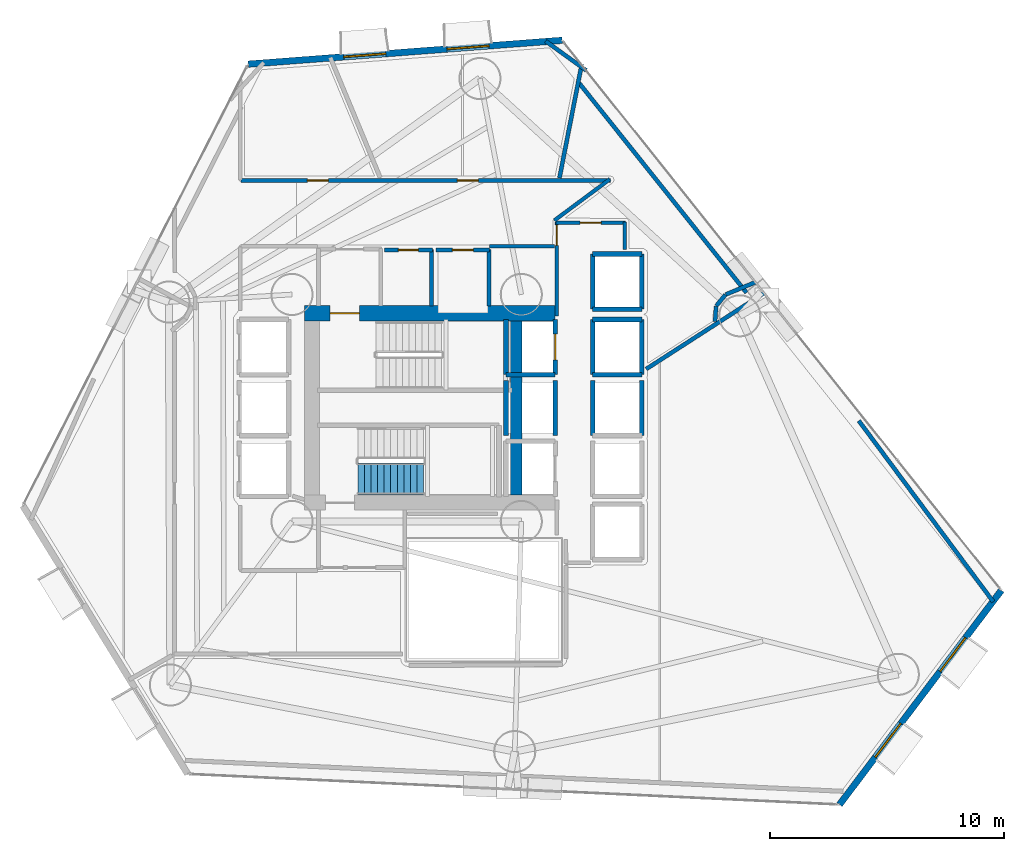
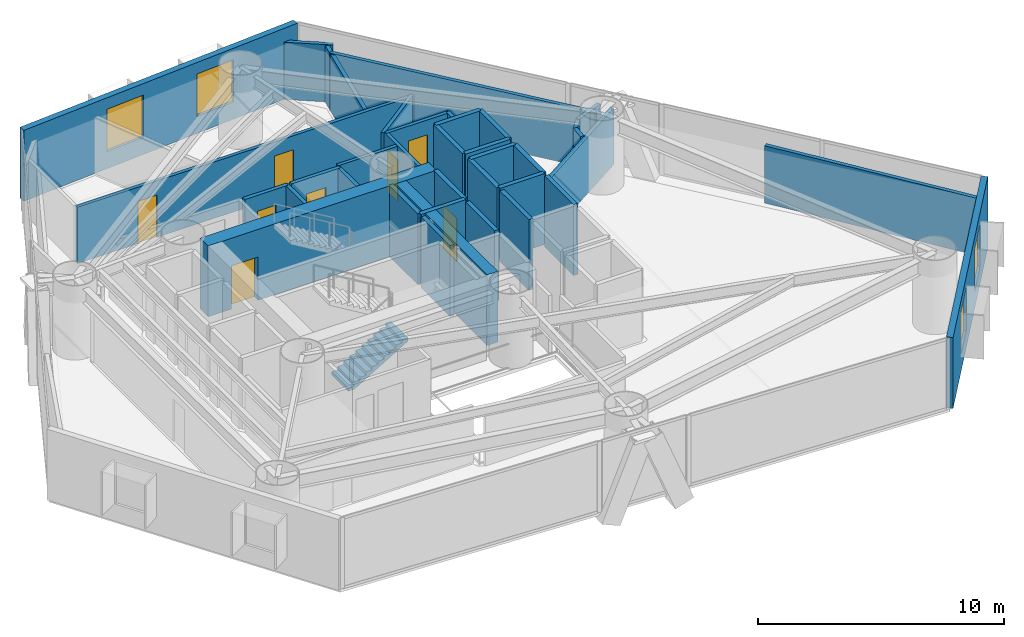
# One storey, part 18 of 23: 37 walls, 8 doors, 4 windows, 1 stair flight, 12 openings, 1 element without a shape of its own.
"""IFC4 building model written with IfcOpenShell, lengths in metres."""

from ifc_helpers import new_model, si_unit, direction, frame, frame_2d, origin, place, context, subcontext, project, spatial, polyline, rectangle, outline, extrude, material, layer, layer_set, type_object, element, fill, aggregate, save


model = new_model("IFC4")

# Units and contexts
model_context = context("Model", 3, precision=1e-05, world=origin(), true_north=direction((0.0, 1.0)))
body_context = subcontext(model_context, "Body", "Model", "MODEL_VIEW")
ifc_project = project(units=[si_unit("LENGTHUNIT", "METRE"), si_unit("AREAUNIT", "SQUARE_METRE"), si_unit("VOLUMEUNIT", "CUBIC_METRE"), si_unit("PLANEANGLEUNIT", "RADIAN"), si_unit("MASSUNIT", "GRAM", prefix="KILO")], contexts=[model_context])

# Site, building, storey
site_placement = place(None, origin())
site = spatial("IfcSite", under=ifc_project, at=site_placement, CompositionType="ELEMENT")
building_placement = place(site_placement, origin())
building = spatial("IfcBuilding", under=site, at=building_placement, Name="Qianvela Tower", CompositionType="ELEMENT")
storey_placement = place(building_placement, frame((0.0, 0.0, 29.39990234375)))
storey = spatial("IfcBuildingStorey", under=building, at=storey_placement, Name="L06", CompositionType="ELEMENT", Elevation=29.39990234375)

# Wall, openings, windows
ifc_material_1 = material(Name="Terracotta Cladding on Concrete C40", Category="masonry")
ifc_layer_1 = layer(ifc_material_1, 0.280029296875)
ifc_layer_set_1 = layer_set([ifc_layer_1], Name="Terracotta Cladding on Concrete C40")
wall_type_1 = type_object("IfcWallType", Name="TERRACOTTA-WALL-280", PredefinedType="SOLIDWALL", material=ifc_layer_set_1)
wall_1_placement = place(storey_placement, frame((51.999267578125, 11.74658203125, 0.0), z_axis=(0.0, 0.0, 1.0), x_axis=(0.602698586695, 0.797968930219, 0.0)))
wall_1 = element("IfcWall", 1, at=wall_1_placement, inside=storey, type_object=wall_type_1, Name="L06 Terracotta Chamfer Facet Wall 1", PredefinedType="SOLIDWALL", context=body_context, shape_type="SweptSolid", body=[
    extrude(rectangle(XDim=11.478759765625, YDim=0.280029296875, at=frame_2d((5.7392578125, 0.0))), origin(), (0.0, 0.0, 1.0), 3.52001953125),
])
opening_1_placement = place(wall_1_placement, frame((2.543701171875, 0.0, 0.85009765625)))
opening_1 = element("IfcOpeningElement", 2, at=opening_1_placement, cuts=wall_1, Name="Opening W-01", PredefinedType="OPENING", context=body_context, shape_type="SweptSolid", body=[
    extrude(rectangle(XDim=1.800048828125, YDim=2.10009765625, at=frame_2d((0.89990234375, 1.050048828125))), frame((0.0, 0.14990234375, 0.0), z_axis=(0.0, -1.0, 0.0), x_axis=(1.0, 0.0, 0.0)), (0.0, 0.0, 1.0), 0.300048828125),
])
opening_2_placement = place(wall_1_placement, frame((7.13525390625, 0.0, 0.85009765625)))
opening_2 = element("IfcOpeningElement", 3, at=opening_2_placement, cuts=wall_1, Name="Opening W-01", PredefinedType="OPENING", context=body_context, shape_type="SweptSolid", body=[
    extrude(rectangle(XDim=1.800048828125, YDim=2.10009765625, at=frame_2d((0.89990234375, 1.050048828125))), frame((0.0, 0.14990234375, 0.0), z_axis=(0.0, -1.0, 0.0), x_axis=(1.0, 0.0, 0.0)), (0.0, 0.0, 1.0), 0.300048828125),
])
ifc_material_2 = material(Name="Thermally Broken Aluminium and Low-E Glass", Category="aluminium")
window_type = type_object("IfcWindowType", Name="WIN-TC-1800x2100", PartitioningType="DOUBLE_PANEL_VERTICAL", PredefinedType="WINDOW", material=ifc_material_2)
window_1_placement = place(opening_1_placement, origin())
window_1 = element("IfcWindow", 4, at=window_1_placement, inside=storey, type_object=window_type, Name="L06 Chamfer Facet Window 1.1", OverallHeight=2.10009765625, OverallWidth=1.800048828125, PartitioningType="SINGLE_PANEL", PredefinedType="WINDOW", context=body_context, shape_type="SweptSolid", body=[
    extrude(rectangle(XDim=1.800048828125, YDim=2.10009765625, at=frame_2d((0.89990234375, 1.050048828125))), frame((0.0, 0.030029296875, 0.0), z_axis=(0.0, -1.0, 0.0), x_axis=(1.0, 0.0, 0.0)), (0.0, 0.0, 1.0), 0.06005859375),
])
fill(opening_1, window_1)
window_2_placement = place(opening_2_placement, origin())
window_2 = element("IfcWindow", 5, at=window_2_placement, inside=storey, type_object=window_type, Name="L06 Chamfer Facet Window 1.2", OverallHeight=2.10009765625, OverallWidth=1.800048828125, PartitioningType="SINGLE_PANEL", PredefinedType="WINDOW", context=body_context, shape_type="SweptSolid", body=[
    extrude(rectangle(XDim=1.800048828125, YDim=2.10009765625, at=frame_2d((0.89990234375, 1.050048828125))), frame((0.0, 0.030029296875, 0.0), z_axis=(0.0, -1.0, 0.0), x_axis=(1.0, 0.0, 0.0)), (0.0, 0.0, 1.0), 0.06005859375),
])
fill(opening_2, window_2)

wall_2_placement = place(storey_placement, frame((40.1474609375, 44.4130859375, 0.0), z_axis=(0.0, 0.0, 1.0), x_axis=(-0.997124396063, -0.07578217981, 0.0)))
wall_2 = element("IfcWall", 6, at=wall_2_placement, inside=storey, type_object=wall_type_1, Name="L06 Terracotta Chamfer Facet Wall 3", PredefinedType="SOLIDWALL", context=body_context, shape_type="SweptSolid", body=[
    extrude(rectangle(XDim=13.45654296875, YDim=0.280029296875, at=frame_2d((6.728271484375, 0.0))), origin(), (0.0, 0.0, 1.0), 3.52001953125),
])
opening_3_placement = place(wall_2_placement, frame((3.136962890625, 0.0, 0.85009765625)))
opening_3 = element("IfcOpeningElement", 7, at=opening_3_placement, cuts=wall_2, Name="Opening W-01", PredefinedType="OPENING", context=body_context, shape_type="SweptSolid", body=[
    extrude(rectangle(XDim=1.800048828125, YDim=2.10009765625, at=frame_2d((0.89990234375, 1.050048828125))), frame((0.0, 0.14990234375, 0.0), z_axis=(0.0, -1.0, 0.0), x_axis=(1.0, 0.0, 0.0)), (0.0, 0.0, 1.0), 0.300048828125),
])
opening_4_placement = place(wall_2_placement, frame((7.559814453125, 0.0, 0.85009765625)))
opening_4 = element("IfcOpeningElement", 8, at=opening_4_placement, cuts=wall_2, Name="Opening W-01", PredefinedType="OPENING", context=body_context, shape_type="SweptSolid", body=[
    extrude(rectangle(XDim=1.800048828125, YDim=2.10009765625, at=frame_2d((0.89990234375, 1.050048828125))), frame((0.0, 0.14990234375, 0.0), z_axis=(0.0, -1.0, 0.0), x_axis=(1.0, 0.0, 0.0)), (0.0, 0.0, 1.0), 0.300048828125),
])
window_3_placement = place(opening_3_placement, origin())
window_3 = element("IfcWindow", 9, at=window_3_placement, inside=storey, type_object=window_type, Name="L06 Chamfer Facet Window 3.1", OverallHeight=2.10009765625, OverallWidth=1.800048828125, PartitioningType="SINGLE_PANEL", PredefinedType="WINDOW", context=body_context, shape_type="SweptSolid", body=[
    extrude(rectangle(XDim=1.800048828125, YDim=2.10009765625, at=frame_2d((0.89990234375, 1.050048828125))), frame((0.0, 0.030029296875, 0.0), z_axis=(0.0, -1.0, 0.0), x_axis=(1.0, 0.0, 0.0)), (0.0, 0.0, 1.0), 0.06005859375),
])
fill(opening_3, window_3)
window_4_placement = place(opening_4_placement, origin())
window_4 = element("IfcWindow", 10, at=window_4_placement, inside=storey, type_object=window_type, Name="L06 Chamfer Facet Window 3.2", OverallHeight=2.10009765625, OverallWidth=1.800048828125, PartitioningType="SINGLE_PANEL", PredefinedType="WINDOW", context=body_context, shape_type="SweptSolid", body=[
    extrude(rectangle(XDim=1.800048828125, YDim=2.10009765625, at=frame_2d((0.89990234375, 1.050048828125))), frame((0.0, 0.030029296875, 0.0), z_axis=(0.0, -1.0, 0.0), x_axis=(1.0, 0.0, 0.0)), (0.0, 0.0, 1.0), 0.06005859375),
])
fill(opening_4, window_4)

# Wall, opening, door
ifc_material_3 = material(Name="Concrete C60", Category="concrete")
ifc_layer_2 = layer(ifc_material_3, 0.64990234375)
ifc_layer_set_2 = layer_set([ifc_layer_2], Name="Concrete C60")
wall_type_2 = type_object("IfcWallType", Name="WT-CORE-650", PredefinedType="SHEAR", material=ifc_layer_set_2)
wall_3_placement = place(storey_placement, frame((29.1298828125, 32.7451171875, 0.0), z_axis=(0.0, 0.0, 1.0), x_axis=(1.0, 0.0, 0.0)))
wall_3 = element("IfcWall", 11, at=wall_3_placement, inside=storey, type_object=wall_type_2, Name="L06 North Core Shear Wall", PredefinedType="SHEAR", context=body_context, shape_type="SweptSolid", body=[
    extrude(rectangle(XDim=10.72021484375, YDim=0.64990234375, at=frame_2d((5.360107421875, 0.0))), origin(), (0.0, 0.0, 1.0), 3.52001953125),
])
opening_5_placement = place(wall_3_placement, frame((1.094970703125, 0.0, 0.0)))
opening_5 = element("IfcOpeningElement", 12, at=opening_5_placement, cuts=wall_3, Name="Opening D-ST1", PredefinedType="OPENING", context=body_context, shape_type="SweptSolid", body=[
    extrude(rectangle(XDim=1.25, YDim=2.14990234375, at=frame_2d((0.625, 1.074951171875))), frame((0.0, 0.3349609375, 0.0), z_axis=(0.0, -1.0, 0.0), x_axis=(1.0, 0.0, 0.0)), (0.0, 0.0, 1.0), 0.669921875),
])
ifc_material_4 = material(Name="Galvanised Fire Steel Q355B", Category="steel")
door_type_1 = type_object("IfcDoorType", Name="DT-STAIR-FD90", OperationType="NOTDEFINED", PredefinedType="DOOR", material=ifc_material_4)
door_1_placement = place(opening_5_placement, origin())
door_1 = element("IfcDoor", 13, at=door_1_placement, inside=storey, type_object=door_type_1, Name="L06 Stair ST-1 Exit Door", OperationType="SINGLE_SWING_RIGHT", OverallHeight=2.14990234375, OverallWidth=1.25, PredefinedType="DOOR", context=body_context, shape_type="SweptSolid", body=[
    extrude(rectangle(XDim=1.25, YDim=2.14990234375, at=frame_2d((0.625, 1.074951171875))), frame((0.0, 0.02490234375, 0.0), z_axis=(0.0, -1.0, 0.0), x_axis=(1.0, 0.0, 0.0)), (0.0, 0.0, 1.0), 0.050048828125),
])
fill(opening_5, door_1)

# Wall
wall_4_placement = place(storey_placement, frame((38.179931640625, 24.97998046875, 0.0), z_axis=(0.0, 0.0, 1.0), x_axis=(0.0, 1.0, 0.0)))
element("IfcWall", 14, at=wall_4_placement, inside=storey, type_object=wall_type_2, Name="L06 East Spine Core Shear Wall", PredefinedType="SHEAR", context=body_context, shape_type="SweptSolid", body=[
    extrude(rectangle(XDim=7.43994140625, YDim=0.5, at=frame_2d((3.719970703125, 0.0))), origin(), (0.0, 0.0, 1.0), 3.52001953125),
])

# Wall, opening, door
ifc_material_5 = material(Name="Fire-Rated Gypsum and Concrete Block", Category="concrete")
ifc_layer_3 = layer(ifc_material_5, 0.159912109375)
ifc_layer_set_3 = layer_set([ifc_layer_3], Name="Fire-Rated Gypsum and Concrete Block")
wall_type_3 = type_object("IfcWallType", Name="WT-CORR-160", PredefinedType="PARTITIONING", material=ifc_layer_set_3)
wall_5_placement = place(storey_placement, frame((39.910888671875, 32.639892578125, 0.0), z_axis=(0.0, 0.0, 1.0), x_axis=(0.0, 1.0, 0.0)))
wall_5 = element("IfcWall", 15, at=wall_5_placement, inside=storey, type_object=wall_type_3, Name="L06 Partition 10", PredefinedType="PARTITIONING", context=body_context, shape_type="SweptSolid", body=[
    extrude(rectangle(XDim=4.010009765625, YDim=0.159912109375, at=frame_2d((2.0048828125, 0.0))), origin(), (0.0, 0.0, 1.0), 2.840087890625),
])
opening_6_placement = place(wall_5_placement, frame((3.010009765625, 0.0, 0.0)))
opening_6 = element("IfcOpeningElement", 16, at=opening_6_placement, cuts=wall_5, Name="Opening D-LB2", PredefinedType="OPENING", context=body_context, shape_type="SweptSolid", body=[
    extrude(rectangle(XDim=0.860107421875, YDim=2.050048828125, at=frame_2d((0.43017578125, 1.02490234375))), frame((0.0, 0.08984375, 0.0), z_axis=(0.0, -1.0, 0.0), x_axis=(1.0, 0.0, 0.0)), (0.0, 0.0, 1.0), 0.179931640625),
])
ifc_material_6 = material(Name="Insulated Steel Fire Door Q355B", Category="steel")
door_type_2 = type_object("IfcDoorType", Name="DT-LOBBY-FD90-860", OperationType="NOTDEFINED", PredefinedType="DOOR", material=ifc_material_6)
door_2_placement = place(opening_6_placement, origin())
door_2 = element("IfcDoor", 17, at=door_2_placement, inside=storey, type_object=door_type_2, Name="L06 Door L06 Lift Lobby to L06 Floor Corridor", OperationType="SINGLE_SWING_RIGHT", OverallHeight=2.050048828125, OverallWidth=0.860107421875, PredefinedType="DOOR", context=body_context, shape_type="SweptSolid", body=[
    extrude(rectangle(XDim=0.860107421875, YDim=2.050048828125, at=frame_2d((0.43017578125, 1.02490234375))), frame((0.0, 0.02490234375, 0.0), z_axis=(0.0, -1.0, 0.0), x_axis=(1.0, 0.0, 0.0)), (0.0, 0.0, 1.0), 0.050048828125),
])
fill(opening_6, door_2)

wall_6_placement = place(storey_placement, frame((39.8798828125, 36.618896484375, 0.0), z_axis=(0.0, 0.0, 1.0), x_axis=(1.0, 0.0, 0.0)))
wall_6 = element("IfcWall", 18, at=wall_6_placement, inside=storey, type_object=wall_type_3, Name="L06 Partition 11", PredefinedType="PARTITIONING", context=body_context, shape_type="SweptSolid", body=[
    extrude(rectangle(XDim=2.97021484375, YDim=0.159912109375, at=frame_2d((1.485107421875, 0.0))), origin(), (0.0, 0.0, 1.0), 2.840087890625),
])
opening_7_placement = place(wall_6_placement, frame((1.034912109375, 0.0, 0.0)))
opening_7 = element("IfcOpeningElement", 19, at=opening_7_placement, cuts=wall_6, Name="Opening D-KT1", PredefinedType="OPENING", context=body_context, shape_type="SweptSolid", body=[
    extrude(rectangle(XDim=0.89990234375, YDim=2.10009765625, at=frame_2d((0.449951171875, 1.050048828125))), frame((0.0, 0.08984375, 0.0), z_axis=(0.0, -1.0, 0.0), x_axis=(1.0, 0.0, 0.0)), (0.0, 0.0, 1.0), 0.179931640625),
])
ifc_material_7 = material(Name="Glazed Timber Kitchen Door", Category="wood")
door_type_3 = type_object("IfcDoorType", Name="DT-KITCH-900", OperationType="NOTDEFINED", PredefinedType="DOOR", material=ifc_material_7)
door_3_placement = place(opening_7_placement, origin())
door_3 = element("IfcDoor", 20, at=door_3_placement, inside=storey, type_object=door_type_3, Name="L06 Door Floor Dining Kitchen L06-03 to L06 Lift Lobby", OperationType="SINGLE_SWING_RIGHT", OverallHeight=2.10009765625, OverallWidth=0.89990234375, PredefinedType="DOOR", context=body_context, shape_type="SweptSolid", body=[
    extrude(rectangle(XDim=0.89990234375, YDim=2.10009765625, at=frame_2d((0.449951171875, 1.050048828125))), frame((0.0, 0.02490234375, 0.0), z_axis=(0.0, -1.0, 0.0), x_axis=(1.0, 0.0, 0.0)), (0.0, 0.0, 1.0), 0.050048828125),
])
fill(opening_7, door_3)

# Wall
wall_7_placement = place(storey_placement, frame((42.819091796875, 36.64990234375, 0.0), z_axis=(0.0, 0.0, 1.0), x_axis=(0.0, -1.0, 0.0)))
element("IfcWall", 21, at=wall_7_placement, inside=storey, type_object=wall_type_3, Name="L06 Partition 12", PredefinedType="PARTITIONING", context=body_context, shape_type="SweptSolid", body=[
    extrude(rectangle(XDim=1.169921875, YDim=0.159912109375, at=frame_2d((0.5849609375, 0.0))), origin(), (0.0, 0.0, 1.0), 2.840087890625),
])

# Wall, openings, doors
wall_8_placement = place(storey_placement, frame((26.419921875, 38.4189453125, 0.0), z_axis=(0.0, 0.0, 1.0), x_axis=(1.0, 0.0, 0.0)))
wall_8 = element("IfcWall", 22, at=wall_8_placement, inside=storey, type_object=wall_type_3, Name="L06 Partition 43", PredefinedType="PARTITIONING", context=body_context, shape_type="SweptSolid", body=[
    extrude(rectangle(XDim=15.783203125, YDim=0.159912109375, at=frame_2d((7.8916015625, 0.0))), origin(), (0.0, 0.0, 1.0), 2.798095703125),
])
opening_8_placement = place(wall_8_placement, frame((9.246337890625, 0.0, 0.0)))
opening_8 = element("IfcOpeningElement", 23, at=opening_8_placement, cuts=wall_8, Name="Opening D-KT1", PredefinedType="OPENING", context=body_context, shape_type="SweptSolid", body=[
    extrude(rectangle(XDim=0.89990234375, YDim=2.10009765625, at=frame_2d((0.449951171875, 1.050048828125))), frame((0.0, 0.08984375, 0.0), z_axis=(0.0, -1.0, 0.0), x_axis=(1.0, 0.0, 0.0)), (0.0, 0.0, 1.0), 0.179931640625),
])
opening_9_placement = place(wall_8_placement, frame((2.835693359375, 0.0, 0.0)))
opening_9 = element("IfcOpeningElement", 24, at=opening_9_placement, cuts=wall_8, Name="Opening D-KT1", PredefinedType="OPENING", context=body_context, shape_type="SweptSolid", body=[
    extrude(rectangle(XDim=0.89990234375, YDim=2.10009765625, at=frame_2d((0.449951171875, 1.050048828125))), frame((0.0, 0.08984375, 0.0), z_axis=(0.0, -1.0, 0.0), x_axis=(1.0, 0.0, 0.0)), (0.0, 0.0, 1.0), 0.179931640625),
])
door_4_placement = place(opening_8_placement, origin())
door_4 = element("IfcDoor", 25, at=door_4_placement, inside=storey, type_object=door_type_3, Name="L06 Door Social Galley Kitchen L06-04 to L06 Floor Corridor", OperationType="SINGLE_SWING_LEFT", OverallHeight=2.10009765625, OverallWidth=0.89990234375, PredefinedType="DOOR", context=body_context, shape_type="SweptSolid", body=[
    extrude(rectangle(XDim=0.89990234375, YDim=2.10009765625, at=frame_2d((0.449951171875, 1.050048828125))), frame((0.0, 0.02490234375, 0.0), z_axis=(0.0, -1.0, 0.0), x_axis=(1.0, 0.0, 0.0)), (0.0, 0.0, 1.0), 0.050048828125),
])
fill(opening_8, door_4)
door_5_placement = place(opening_9_placement, origin())
door_5 = element("IfcDoor", 26, at=door_5_placement, inside=storey, type_object=door_type_3, Name="L06 Door Shared Communal Kitchen L06-05 to L06 Floor Corridor", OperationType="SINGLE_SWING_RIGHT", OverallHeight=2.10009765625, OverallWidth=0.89990234375, PredefinedType="DOOR", context=body_context, shape_type="SweptSolid", body=[
    extrude(rectangle(XDim=0.89990234375, YDim=2.10009765625, at=frame_2d((0.449951171875, 1.050048828125))), frame((0.0, 0.02490234375, 0.0), z_axis=(0.0, -1.0, 0.0), x_axis=(1.0, 0.0, 0.0)), (0.0, 0.0, 1.0), 0.050048828125),
])
fill(opening_9, door_5)

# Walls
wall_9_placement = place(storey_placement, frame((42.1845703125, 38.474853515625, 0.0), z_axis=(0.0, 0.0, 1.0), x_axis=(-0.802818467394, -0.596223538961, 0.0)))
element("IfcWall", 27, at=wall_9_placement, inside=storey, type_object=wall_type_3, Name="L06 Partition 44", PredefinedType="PARTITIONING", context=body_context, shape_type="SweptSolid", body=[
    extrude(rectangle(XDim=2.953125, YDim=0.159912109375, at=frame_2d((1.4765625, 0.0))), origin(), (0.0, 0.0, 1.0), 2.798095703125),
])
wall_10_placement = place(storey_placement, frame((39.818115234375, 35.611083984375, 0.0), z_axis=(0.0, 0.0, 1.0), x_axis=(-1.0, 0.0, 0.0)))
element("IfcWall", 28, at=wall_10_placement, inside=storey, type_object=wall_type_3, Name="L06 Partition 46 seg 1", PredefinedType="PARTITIONING", context=body_context, shape_type="SweptSolid", body=[
    extrude(rectangle(XDim=2.76806640625, YDim=0.159912109375, at=frame_2d((1.384033203125, 0.0))), origin(), (0.0, 0.0, 1.0), 2.840087890625),
])

# Wall, opening, door
ifc_material_8 = material(Name="Moisture-Resistant Acoustic Plumbing Wall")
ifc_layer_4 = layer(ifc_material_8, 0.175048828125)
ifc_layer_set_4 = layer_set([ifc_layer_4], Name="Moisture-Resistant Acoustic Plumbing Wall")
wall_type_4 = type_object("IfcWallType", Name="WT-PLUMB-175", PredefinedType="PLUMBINGWALL", material=ifc_layer_set_4)
wall_11_placement = place(storey_placement, frame((32.550048828125, 35.448974609375, 0.0), z_axis=(0.0, 0.0, 1.0), x_axis=(1.0, 0.0, 0.0)))
wall_11 = element("IfcWall", 29, at=wall_11_placement, inside=storey, type_object=wall_type_4, Name="L06 Partition 20", PredefinedType="PLUMBINGWALL", context=body_context, shape_type="SweptSolid", body=[
    extrude(rectangle(XDim=2.050048828125, YDim=0.175048828125, at=frame_2d((1.02490234375, 0.0))), origin(), (0.0, 0.0, 1.0), 2.840087890625),
])
opening_10_placement = place(wall_11_placement, frame((0.594970703125, 0.0, 0.0)))
opening_10 = element("IfcOpeningElement", 30, at=opening_10_placement, cuts=wall_11, Name="Opening D-WC1", PredefinedType="OPENING", context=body_context, shape_type="SweptSolid", body=[
    extrude(rectangle(XDim=0.860107421875, YDim=2.050048828125, at=frame_2d((0.43017578125, 1.02490234375))), frame((0.0, 0.097412109375, 0.0), z_axis=(0.0, -1.0, 0.0), x_axis=(1.0, 0.0, 0.0)), (0.0, 0.0, 1.0), 0.195068359375),
])
ifc_material_9 = material(Name="Moisture-Sealed Acoustic Timber Door", Category="wood")
door_type_4 = type_object("IfcDoorType", Name="DT-WC-860", OperationType="NOTDEFINED", PredefinedType="DOOR", material=ifc_material_9)
door_6_placement = place(opening_10_placement, origin())
door_6 = element("IfcDoor", 31, at=door_6_placement, inside=storey, type_object=door_type_4, Name="L06 Door L06 Accessible WC to L06 Floor Corridor", OperationType="SINGLE_SWING_LEFT", OverallHeight=2.050048828125, OverallWidth=0.860107421875, PredefinedType="DOOR", context=body_context, shape_type="SweptSolid", body=[
    extrude(rectangle(XDim=0.860107421875, YDim=2.050048828125, at=frame_2d((0.43017578125, 1.02490234375))), frame((0.0, 0.02490234375, 0.0), z_axis=(0.0, -1.0, 0.0), x_axis=(1.0, 0.0, 0.0)), (0.0, 0.0, 1.0), 0.050048828125),
])
fill(opening_10, door_6)

# Wall
wall_12_placement = place(storey_placement, frame((34.569091796875, 35.47998046875, 0.0), z_axis=(0.0, 0.0, 1.0), x_axis=(0.0, -1.0, 0.0)))
element("IfcWall", 32, at=wall_12_placement, inside=storey, type_object=wall_type_4, Name="L06 Partition 21", PredefinedType="PLUMBINGWALL", context=body_context, shape_type="SweptSolid", body=[
    extrude(rectangle(XDim=2.421875, YDim=0.175048828125, at=frame_2d((1.2109375, 0.0))), origin(), (0.0, 0.0, 1.0), 2.840087890625),
])

# Wall, opening, door
wall_13_placement = place(storey_placement, frame((34.75, 35.448974609375, 0.0), z_axis=(0.0, 0.0, 1.0), x_axis=(1.0, 0.0, 0.0)))
wall_13 = element("IfcWall", 33, at=wall_13_placement, inside=storey, type_object=wall_type_4, Name="L06 Partition 24", PredefinedType="PLUMBINGWALL", context=body_context, shape_type="SweptSolid", body=[
    extrude(rectangle(XDim=2.300048828125, YDim=0.175048828125, at=frame_2d((1.14990234375, 0.0))), origin(), (0.0, 0.0, 1.0), 2.840087890625),
])
opening_11_placement = place(wall_13_placement, frame((0.699951171875, 0.0, 0.0)))
opening_11 = element("IfcOpeningElement", 34, at=opening_11_placement, cuts=wall_13, Name="Opening D-KT1", PredefinedType="OPENING", context=body_context, shape_type="SweptSolid", body=[
    extrude(rectangle(XDim=0.89990234375, YDim=2.10009765625, at=frame_2d((0.449951171875, 1.050048828125))), frame((0.0, 0.097412109375, 0.0), z_axis=(0.0, -1.0, 0.0), x_axis=(1.0, 0.0, 0.0)), (0.0, 0.0, 1.0), 0.195068359375),
])
door_7_placement = place(opening_11_placement, origin())
door_7 = element("IfcDoor", 35, at=door_7_placement, inside=storey, type_object=door_type_3, Name="L06 Door L06 Core Tea Pantry to L06 Floor Corridor", OperationType="SINGLE_SWING_RIGHT", OverallHeight=2.10009765625, OverallWidth=0.89990234375, PredefinedType="DOOR", context=body_context, shape_type="SweptSolid", body=[
    extrude(rectangle(XDim=0.89990234375, YDim=2.10009765625, at=frame_2d((0.449951171875, 1.050048828125))), frame((0.0, 0.02490234375, 0.0), z_axis=(0.0, -1.0, 0.0), x_axis=(1.0, 0.0, 0.0)), (0.0, 0.0, 1.0), 0.050048828125),
])
fill(opening_11, door_7)

# Walls
wall_14_placement = place(storey_placement, frame((37.01904296875, 35.47998046875, 0.0), z_axis=(0.0, 0.0, 1.0), x_axis=(0.0, -1.0, 0.0)))
element("IfcWall", 36, at=wall_14_placement, inside=storey, type_object=wall_type_4, Name="L06 Partition 25", PredefinedType="PLUMBINGWALL", context=body_context, shape_type="SweptSolid", body=[
    extrude(rectangle(XDim=2.421875, YDim=0.175048828125, at=frame_2d((1.2109375, 0.0))), origin(), (0.0, 0.0, 1.0), 2.840087890625),
])
wall_15_placement = place(storey_placement, frame((43.73681640625, 30.3623046875, 0.0), z_axis=(0.0, 0.0, 1.0), x_axis=(0.840502421902, 0.541807787667, 0.0)))
element("IfcWall", 37, at=wall_15_placement, inside=storey, type_object=wall_type_4, Name="L06 Partition 70", PredefinedType="PLUMBINGWALL", context=body_context, shape_type="SweptSolid", body=[
    extrude(rectangle(XDim=6.013427734375, YDim=0.175048828125, at=frame_2d((3.0068359375, 0.0))), origin(), (0.0, 0.0, 1.0), 2.798095703125),
])
wall_16_placement = place(storey_placement, frame((52.824462890625, 28.152099609375, 0.0), z_axis=(0.0, 0.0, 1.0), x_axis=(0.596353852241, -0.802721672137, 0.0)))
element("IfcWall", 38, at=wall_16_placement, inside=storey, type_object=wall_type_4, Name="L06 Partition 71 seg 2", PredefinedType="PLUMBINGWALL", context=body_context, shape_type="SweptSolid", body=[
    extrude(rectangle(XDim=9.636962890625, YDim=0.175048828125, at=frame_2d((4.818359375, 0.0))), origin(), (0.0, 0.0, 1.0), 2.840087890625),
])
wall_17_placement = place(storey_placement, frame((40.030517578125, 38.52392578125, 0.0), z_axis=(0.0, 0.0, 1.0), x_axis=(0.192440494931, 0.981308644571, 0.0)))
element("IfcWall", 39, at=wall_17_placement, inside=storey, type_object=wall_type_4, Name="L06 Partition 83", PredefinedType="PLUMBINGWALL", context=body_context, shape_type="SweptSolid", body=[
    extrude(rectangle(XDim=4.9580078125, YDim=0.175048828125, at=frame_2d((2.47900390625, 0.0))), origin(), (0.0, 0.0, 1.0), 2.798095703125),
])
wall_18_placement = place(storey_placement, frame((40.793701171875, 42.6806640625, 0.0), z_axis=(0.0, 0.0, 1.0), x_axis=(0.623977950445, -0.781441947529, 0.0)))
element("IfcWall", 40, at=wall_18_placement, inside=storey, type_object=wall_type_4, Name="L06 Partition 84", PredefinedType="PLUMBINGWALL", context=body_context, shape_type="SweptSolid", body=[
    extrude(rectangle(XDim=11.588134765625, YDim=0.175048828125, at=frame_2d((5.7939453125, 0.0))), origin(), (0.0, 0.0, 1.0), 2.840087890625),
])
wall_19_placement = place(storey_placement, frame((48.422607421875, 34.080322265625, 0.0), z_axis=(0.0, 0.0, 1.0), x_axis=(-0.923888707417, -0.382661281433, 0.0)))
element("IfcWall", 41, at=wall_19_placement, inside=storey, type_object=wall_type_4, Name="L06 Partition 86", PredefinedType="PLUMBINGWALL", context=body_context, shape_type="SweptSolid", body=[
    extrude(rectangle(XDim=1.393310546875, YDim=0.175048828125, at=frame_2d((0.69677734375, 0.0))), origin(), (0.0, 0.0, 1.0), 2.840087890625),
])
wall_20_placement = place(storey_placement, frame((47.123046875, 33.5380859375, 0.0), z_axis=(0.0, 0.0, 1.0), x_axis=(-0.634274060347, -0.773108282436, 0.0)))
element("IfcWall", 42, at=wall_20_placement, inside=storey, type_object=wall_type_4, Name="L06 Partition 87", PredefinedType="PLUMBINGWALL", context=body_context, shape_type="SweptSolid", body=[
    extrude(rectangle(XDim=0.615478515625, YDim=0.175048828125, at=frame_2d((0.3076171875, 0.0))), origin(), (0.0, 0.0, 1.0), 2.798095703125),
])
wall_21_placement = place(storey_placement, frame((46.725830078125, 33.044921875, 0.0), z_axis=(0.0, 0.0, 1.0), x_axis=(-0.072993708231, -0.997332401238, 0.0)))
element("IfcWall", 43, at=wall_21_placement, inside=storey, type_object=wall_type_4, Name="L06 Partition 88", PredefinedType="PLUMBINGWALL", context=body_context, shape_type="SweptSolid", body=[
    extrude(rectangle(XDim=0.655517578125, YDim=0.175048828125, at=frame_2d((0.32763671875, 0.0))), origin(), (0.0, 0.0, 1.0), 2.840087890625),
])
wall_22_placement = place(storey_placement, frame((39.440185546875, 44.3759765625, 0.0), z_axis=(0.0, 0.0, 1.0), x_axis=(0.81138921051, -0.584506243822, 0.0)))
element("IfcWall", 44, at=wall_22_placement, inside=storey, type_object=wall_type_4, Name="L06 Partition 92", PredefinedType="PLUMBINGWALL", context=body_context, shape_type="SweptSolid", body=[
    extrude(rectangle(XDim=2.13818359375, YDim=0.175048828125, at=frame_2d((1.069091796875, 0.0))), origin(), (0.0, 0.0, 1.0), 2.840087890625),
])

# Wall, opening, door
ifc_material_10 = material(Name="Concrete C50", Category="concrete")
ifc_layer_5 = layer(ifc_material_10, 0.199951171875)
ifc_layer_set_5 = layer_set([ifc_layer_5], Name="Concrete C50")
wall_type_5 = type_object("IfcWallType", Name="WT-SHAFT-200", PredefinedType="SOLIDWALL", material=ifc_layer_set_5)
wall_23_placement = place(storey_placement, frame((39.85009765625, 30.1201171875, 0.0), z_axis=(0.0, 0.0, 1.0), x_axis=(0.0, 1.0, 0.0)))
wall_23 = element("IfcWall", 45, at=wall_23_placement, inside=storey, type_object=wall_type_5, Name="L06 Lift FL-1 E Shaft Wall", PredefinedType="SOLIDWALL", context=body_context, shape_type="SweptSolid", body=[
    extrude(rectangle(XDim=2.35986328125, YDim=0.199951171875, at=frame_2d((1.179931640625, 0.0))), origin(), (0.0, 0.0, 1.0), 3.52001953125),
])
opening_12_placement = place(wall_23_placement, frame((0.6298828125, 0.0, 0.0)))
opening_12 = element("IfcOpeningElement", 46, at=opening_12_placement, cuts=wall_23, Name="Opening LD-01", PredefinedType="OPENING", context=body_context, shape_type="SweptSolid", body=[
    extrude(rectangle(XDim=1.10009765625, YDim=2.14990234375, at=frame_2d((0.550048828125, 1.074951171875))), frame((0.0, 0.10986328125, 0.0), z_axis=(0.0, -1.0, 0.0), x_axis=(1.0, 0.0, 0.0)), (0.0, 0.0, 1.0), 0.219970703125),
])
ifc_material_11 = material(Name="Brushed Stainless Steel Lift Landing Door", Category="steel")
door_type_5 = type_object("IfcDoorType", Name="DT-LIFT-SLIDE-1100", OperationType="SLIDING_TO_LEFT", PredefinedType="DOOR", material=ifc_material_11)
door_8_placement = place(opening_12_placement, origin())
door_8 = element("IfcDoor", 47, at=door_8_placement, inside=storey, type_object=door_type_5, Name="L06 Lift FL-1 Sliding Landing Door", OperationType="SLIDING_TO_LEFT", OverallHeight=2.14990234375, OverallWidth=1.10009765625, PredefinedType="DOOR", context=body_context, shape_type="SweptSolid", body=[
    extrude(rectangle(XDim=1.10009765625, YDim=2.14990234375, at=frame_2d((0.550048828125, 1.074951171875))), frame((0.0, 0.02490234375, 0.0), z_axis=(0.0, -1.0, 0.0), x_axis=(1.0, 0.0, 0.0)), (0.0, 0.0, 1.0), 0.050048828125),
])
fill(opening_12, door_8)

# Walls
wall_24_placement = place(storey_placement, frame((37.75, 30.1201171875, 0.0), z_axis=(0.0, 0.0, 1.0), x_axis=(0.0, 1.0, 0.0)))
element("IfcWall", 48, at=wall_24_placement, inside=storey, type_object=wall_type_5, Name="L06 Lift FL-1 W Shaft Wall", PredefinedType="SOLIDWALL", context=body_context, shape_type="SweptSolid", body=[
    extrude(rectangle(XDim=2.35986328125, YDim=0.199951171875, at=frame_2d((1.179931640625, 0.0))), origin(), (0.0, 0.0, 1.0), 3.52001953125),
])
wall_25_placement = place(storey_placement, frame((37.75, 30.1201171875, 0.0), z_axis=(0.0, 0.0, 1.0), x_axis=(1.0, 0.0, 0.0)))
element("IfcWall", 49, at=wall_25_placement, inside=storey, type_object=wall_type_5, Name="L06 Lift FL-1 S Shaft Wall", PredefinedType="SOLIDWALL", context=body_context, shape_type="SweptSolid", body=[
    extrude(rectangle(XDim=2.10009765625, YDim=0.199951171875, at=frame_2d((1.050048828125, 0.0))), origin(), (0.0, 0.0, 1.0), 3.52001953125),
])
for number, where, z_axis, x_axis, name in (
    (50, (43.550048828125, 30.1201171875, 0.0), (0.0, 0.0, 1.0), (0.0, 1.0, 0.0), "L06 Lift PL-M1 E Shaft Wall"),
    (51, (41.449951171875, 30.1201171875, 0.0), (0.0, 0.0, 1.0), (0.0, 1.0, 0.0), "L06 Lift PL-M1 W Shaft Wall"),
):
    element("IfcWall", number, at=place(storey_placement, frame(where, z_axis=z_axis, x_axis=x_axis)), inside=storey, type_object=wall_type_5, Name=name, PredefinedType="SOLIDWALL", context=body_context, shape_type="SweptSolid", body=[
        extrude(rectangle(XDim=2.35986328125, YDim=0.199951171875, at=frame_2d((1.179931640625, 0.0))), origin(), (0.0, 0.0, 1.0), 3.52001953125),
    ])
for number, where, z_axis, x_axis, name in (
    (52, (41.449951171875, 32.47998046875, 0.0), (0.0, 0.0, 1.0), (1.0, 0.0, 0.0), "L06 Lift PL-M1 N Shaft Wall"),
    (53, (41.449951171875, 30.1201171875, 0.0), (0.0, 0.0, 1.0), (1.0, 0.0, 0.0), "L06 Lift PL-M1 S Shaft Wall"),
):
    element("IfcWall", number, at=place(storey_placement, frame(where, z_axis=z_axis, x_axis=x_axis)), inside=storey, type_object=wall_type_5, Name=name, PredefinedType="SOLIDWALL", context=body_context, shape_type="SweptSolid", body=[
        extrude(rectangle(XDim=2.10009765625, YDim=0.199951171875, at=frame_2d((1.050048828125, 0.0))), origin(), (0.0, 0.0, 1.0), 3.52001953125),
    ])
for number, where, z_axis, x_axis, name in (
    (54, (43.550048828125, 27.52001953125, 0.0), (0.0, 0.0, 1.0), (0.0, 1.0, 0.0), "L06 Lift PL-M2 E Shaft Wall"),
    (55, (41.449951171875, 27.52001953125, 0.0), (0.0, 0.0, 1.0), (0.0, 1.0, 0.0), "L06 Lift PL-M2 W Shaft Wall"),
    (56, (39.85009765625, 27.52001953125, 0.0), (0.0, 0.0, 1.0), (0.0, 1.0, 0.0), "L06 Lift PL-H1 E Shaft Wall"),
    (57, (37.75, 27.52001953125, 0.0), (0.0, 0.0, 1.0), (0.0, 1.0, 0.0), "L06 Lift PL-H1 W Shaft Wall"),
):
    element("IfcWall", number, at=place(storey_placement, frame(where, z_axis=z_axis, x_axis=x_axis)), inside=storey, type_object=wall_type_5, Name=name, PredefinedType="SOLIDWALL", context=body_context, shape_type="SweptSolid", body=[
        extrude(rectangle(XDim=2.35986328125, YDim=0.199951171875, at=frame_2d((1.179931640625, 0.0))), origin(), (0.0, 0.0, 1.0), 3.52001953125),
    ])
for number, where, z_axis, x_axis, name in (
    (58, (43.550048828125, 32.919921875, 0.0), (0.0, 0.0, 1.0), (0.0, 1.0, 0.0), "L06 Lift PL-H3 E Shaft Wall"),
    (59, (41.449951171875, 32.919921875, 0.0), (0.0, 0.0, 1.0), (0.0, 1.0, 0.0), "L06 Lift PL-H3 W Shaft Wall"),
):
    element("IfcWall", number, at=place(storey_placement, frame(where, z_axis=z_axis, x_axis=x_axis)), inside=storey, type_object=wall_type_5, Name=name, PredefinedType="SOLIDWALL", context=body_context, shape_type="SweptSolid", body=[
        extrude(rectangle(XDim=2.360107421875, YDim=0.199951171875, at=frame_2d((1.18017578125, 0.0))), origin(), (0.0, 0.0, 1.0), 3.52001953125),
    ])
for number, where, z_axis, x_axis, name in (
    (60, (41.449951171875, 35.280029296875, 0.0), (0.0, 0.0, 1.0), (1.0, 0.0, 0.0), "L06 Lift PL-H3 N Shaft Wall"),
    (61, (41.449951171875, 32.919921875, 0.0), (0.0, 0.0, 1.0), (1.0, 0.0, 0.0), "L06 Lift PL-H3 S Shaft Wall"),
):
    element("IfcWall", number, at=place(storey_placement, frame(where, z_axis=z_axis, x_axis=x_axis)), inside=storey, type_object=wall_type_5, Name=name, PredefinedType="SOLIDWALL", context=body_context, shape_type="SweptSolid", body=[
        extrude(rectangle(XDim=2.10009765625, YDim=0.199951171875, at=frame_2d((1.050048828125, 0.0))), origin(), (0.0, 0.0, 1.0), 3.52001953125),
    ])

# Stair, stair flight
ifc_material_12 = material(Name="Concrete C40", Category="concrete")
stair_type = type_object("IfcStairType", Name="ST-DOGLEG-1350-R168-N22", PredefinedType="HALF_TURN_STAIR", material=ifc_material_12)
stair_placement = place(storey_placement, origin())
stair = element("IfcStair", 62, at=stair_placement, inside=storey, type_object=stair_type, Name="L06 Smoke-Proof Core Stair ST-2", PredefinedType="HALF_TURN_STAIR")
ifc_material_13 = material(Name="Concrete C40", Category="concrete")
stair_flight_type = type_object("IfcStairFlightType", Name="STF-STRAIGHT-R168-P11", PredefinedType="STRAIGHT", material=ifc_material_13)
stair_flight_placement = place(storey_placement, frame((31.419921875, 25.675048828125, 0.0), z_axis=(0.0, 0.0, 1.0), x_axis=(1.0, 0.0, 0.0)))
stair_flight = element("IfcStairFlight", 63, at=stair_flight_placement, type_object=stair_flight_type, Name="ST-2 flight 1", NumberOfRisers=11, NumberOfTreads=10, PredefinedType="STRAIGHT", RiserHeight=0.168181818, TreadLength=0.28, context=body_context, shape_type="SweptSolid", body=[
    extrude(outline(polyline([(0.0, 0.0), (0.0, 0.168212890625), (0.280029296875, 0.168212890625), (0.280029296875, 0.33642578125), (0.56005859375, 0.33642578125), (0.56005859375, 0.504638671875), (0.840087890625, 0.504638671875), (0.840087890625, 0.672607421875), (1.1201171875, 0.672607421875), (1.1201171875, 0.8408203125), (1.39990234375, 0.8408203125), (1.39990234375, 1.009033203125), (1.679931640625, 1.009033203125), (1.679931640625, 1.17724609375), (1.9599609375, 1.17724609375), (1.9599609375, 1.345458984375), (2.239990234375, 1.345458984375), (2.239990234375, 1.513671875), (2.52001953125, 1.513671875), (2.52001953125, 1.681884765625), (2.800048828125, 1.681884765625), (2.800048828125, 1.85009765625), (2.800048828125, 1.5068359375), (0.291015625, 0.0), (0.0, 0.0)])), frame((0.0, 0.675048828125, 0.0), z_axis=(0.0, -1.0, 0.0), x_axis=(1.0, 0.0, 0.0)), (0.0, 0.0, 1.0), 1.35009765625),
])
aggregate(stair, [stair_flight])

save(model, "model.ifc")
